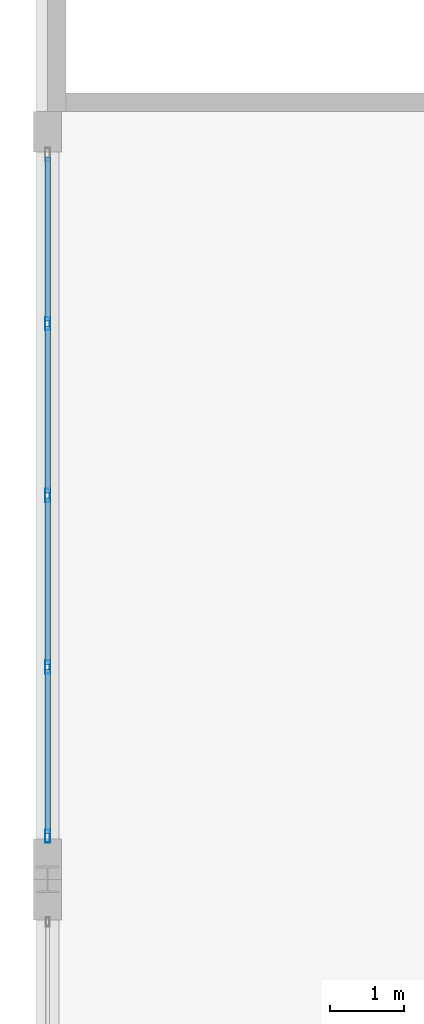
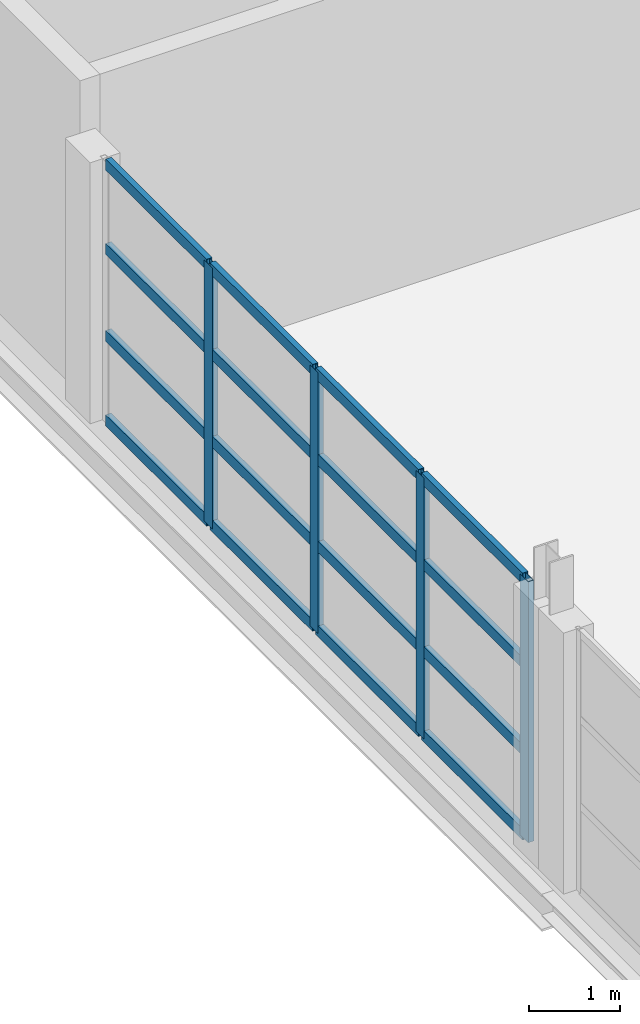
# One storey, part 32 of 147: 20 members, 1 element without a shape of its own.
"""IFC4 building model written with IfcOpenShell, lengths in metres."""

from ifc_helpers import new_model, si_unit, direction, frame, origin, origin_2d, place, context, subcontext, project, spatial, hollow_rectangle, extrude, material, layer, layer_set, material_profile, profile_set, type_object, element, aggregate, save


model = new_model("IFC4")

# Units and contexts
model_context = context("Model", 3, precision=1e-05, world=origin(), true_north=direction((0.0, 1.0)))
body_context = subcontext(model_context, "Body", "Model", "MODEL_VIEW")
ifc_project = project(units=[si_unit("LENGTHUNIT", "METRE"), si_unit("AREAUNIT", "SQUARE_METRE"), si_unit("VOLUMEUNIT", "CUBIC_METRE"), si_unit("PLANEANGLEUNIT", "RADIAN"), si_unit("MASSUNIT", "GRAM", prefix="KILO")], contexts=[model_context])

# Site, building, storey
site_placement = place(None, origin())
site = spatial("IfcSite", under=ifc_project, at=site_placement, CompositionType="ELEMENT")
building_placement = place(site_placement, origin())
building = spatial("IfcBuilding", under=site, at=building_placement, Name="Zilviju Railside Exhibition Hall", CompositionType="ELEMENT")
storey_placement = place(building_placement, frame((0.0, 0.0, 8.39990234375)))
storey = spatial("IfcBuildingStorey", under=building, at=storey_placement, Name="L03", CompositionType="ELEMENT", Elevation=8.39990234375)

# Curtain wall, members
ifc_material_1 = material(Name="Thermally broken aluminium-steel triple-glazed curtain wall", Category="steel")
ifc_layer = layer(ifc_material_1, 0.179931640625)
ifc_layer_set = layer_set([ifc_layer], Name="Thermally broken aluminium-steel triple-glazed curtain wall")
curtain_wall_type = type_object("IfcCurtainWallType", Name="CW-BAY-03", PredefinedType="USERDEFINED", material=ifc_layer_set)
curtain_wall_placement = place(storey_placement, origin())
curtain_wall = element("IfcCurtainWall", 1, at=curtain_wall_placement, inside=storey, type_object=curtain_wall_type, Name="Congress Crush Foyer Boulevard Curtain Wall L03 (48..58)", ObjectType="GLAZED CURTAIN WALL", PredefinedType="USERDEFINED")
ifc_material_2 = material(Name="Thermally broken anodized aluminium mullion", Category="aluminium")
ifc_material_profile_1 = material_profile(ifc_material_2, hollow_rectangle(XDim=0.070068359375, YDim=0.179931640625, WallThickness=0.0048828125, at=origin_2d()), Name="MULLION 180x70x5")
ifc_profile_set_1 = profile_set([ifc_material_profile_1], Name="Thermally broken anodized aluminium mullion")
member_type_1 = type_object("IfcMemberType", Name="CWM-70x180", PredefinedType="MULLION", material=ifc_profile_set_1)
member_1_placement = place(storey_placement, frame((0.0, 48.5849609375, 0.0), z_axis=(0.0, 0.0, 1.0), x_axis=(-1.0, 0.0, 0.0)))
member_1 = element("IfcMember", 2, at=member_1_placement, type_object=member_type_1, Name="CW-03 mullion 1", PredefinedType="MULLION", context=body_context, shape_type="SweptSolid", body=[
    extrude(hollow_rectangle(XDim=0.070068359375, YDim=0.179931640625, WallThickness=0.0048828125, at=origin_2d()), origin(), (0.0, 0.0, 1.0), 3.5),
])
member_2_placement = place(storey_placement, frame((0.0, 50.875, 0.0), z_axis=(0.0, 0.0, 1.0), x_axis=(-1.0, 0.0, 0.0)))
member_2 = element("IfcMember", 3, at=member_2_placement, type_object=member_type_1, Name="CW-03 mullion 2", PredefinedType="MULLION", context=body_context, shape_type="SweptSolid", body=[
    extrude(hollow_rectangle(XDim=0.070068359375, YDim=0.179931640625, WallThickness=0.0048828125, at=origin_2d()), origin(), (0.0, 0.0, 1.0), 3.5),
])
member_3_placement = place(storey_placement, frame((0.0, 53.199951171875, 0.0), z_axis=(0.0, 0.0, 1.0), x_axis=(-1.0, 0.0, 0.0)))
member_3 = element("IfcMember", 4, at=member_3_placement, type_object=member_type_1, Name="CW-03 mullion 3", PredefinedType="MULLION", context=body_context, shape_type="SweptSolid", body=[
    extrude(hollow_rectangle(XDim=0.070068359375, YDim=0.179931640625, WallThickness=0.0048828125, at=origin_2d()), origin(), (0.0, 0.0, 1.0), 3.5),
])
member_4_placement = place(storey_placement, frame((0.0, 55.52490234375, 0.0), z_axis=(0.0, 0.0, 1.0), x_axis=(-1.0, 0.0, 0.0)))
member_4 = element("IfcMember", 5, at=member_4_placement, type_object=member_type_1, Name="CW-03 mullion 4", PredefinedType="MULLION", context=body_context, shape_type="SweptSolid", body=[
    extrude(hollow_rectangle(XDim=0.070068359375, YDim=0.179931640625, WallThickness=0.0048828125, at=origin_2d()), origin(), (0.0, 0.0, 1.0), 3.5),
])
ifc_material_3 = material(Name="Thermally broken anodized aluminium transom", Category="aluminium")
ifc_material_profile_2 = material_profile(ifc_material_3, hollow_rectangle(XDim=0.070068359375, YDim=0.14990234375, WallThickness=0.0048828125, at=origin_2d()), Name="TRANSOM 150x70x5")
ifc_profile_set_2 = profile_set([ifc_material_profile_2], Name="Thermally broken anodized aluminium transom")
member_type_2 = type_object("IfcMemberType", Name="CWT-70x150", PredefinedType="USERDEFINED", material=ifc_profile_set_2)
member_5_placement = place(storey_placement, frame((0.0, 48.6201171875, 0.03515625), z_axis=(0.0, 1.0, 0.0), x_axis=(-1.0, 0.0, 0.0)))
member_5 = element("IfcMember", 6, at=member_5_placement, type_object=member_type_2, Name="CW-03 transom 1.1", ObjectType="TRANSOM", PredefinedType="USERDEFINED", context=body_context, shape_type="SweptSolid", body=[
    extrude(hollow_rectangle(XDim=0.070068359375, YDim=0.14990234375, WallThickness=0.0048828125, at=origin_2d()), origin(), (0.0, 0.0, 1.0), 2.219970703125),
])
member_6_placement = place(storey_placement, frame((0.0, 48.6201171875, 1.1669921875), z_axis=(0.0, 1.0, 0.0), x_axis=(-1.0, 0.0, 0.0)))
member_6 = element("IfcMember", 7, at=member_6_placement, type_object=member_type_2, Name="CW-03 transom 1.2", ObjectType="TRANSOM", PredefinedType="USERDEFINED", context=body_context, shape_type="SweptSolid", body=[
    extrude(hollow_rectangle(XDim=0.070068359375, YDim=0.14990234375, WallThickness=0.0048828125, at=origin_2d()), origin(), (0.0, 0.0, 1.0), 2.219970703125),
])
member_7_placement = place(storey_placement, frame((0.0, 48.6201171875, 2.3330078125), z_axis=(0.0, 1.0, 0.0), x_axis=(-1.0, 0.0, 0.0)))
member_7 = element("IfcMember", 8, at=member_7_placement, type_object=member_type_2, Name="CW-03 transom 1.3", ObjectType="TRANSOM", PredefinedType="USERDEFINED", context=body_context, shape_type="SweptSolid", body=[
    extrude(hollow_rectangle(XDim=0.070068359375, YDim=0.14990234375, WallThickness=0.0048828125, at=origin_2d()), origin(), (0.0, 0.0, 1.0), 2.219970703125),
])
member_8_placement = place(storey_placement, frame((0.0, 48.6201171875, 3.465087890625), z_axis=(0.0, 1.0, 0.0), x_axis=(-1.0, 0.0, 0.0)))
member_8 = element("IfcMember", 9, at=member_8_placement, type_object=member_type_2, Name="CW-03 transom 1.4", ObjectType="TRANSOM", PredefinedType="USERDEFINED", context=body_context, shape_type="SweptSolid", body=[
    extrude(hollow_rectangle(XDim=0.070068359375, YDim=0.14990234375, WallThickness=0.0048828125, at=origin_2d()), origin(), (0.0, 0.0, 1.0), 2.219970703125),
])
member_9_placement = place(storey_placement, frame((0.0, 50.909912109375, 0.03515625), z_axis=(0.0, 1.0, 0.0), x_axis=(-1.0, 0.0, 0.0)))
member_9 = element("IfcMember", 10, at=member_9_placement, type_object=member_type_2, Name="CW-03 transom 2.1", ObjectType="TRANSOM", PredefinedType="USERDEFINED", context=body_context, shape_type="SweptSolid", body=[
    extrude(hollow_rectangle(XDim=0.070068359375, YDim=0.14990234375, WallThickness=0.0048828125, at=origin_2d()), origin(), (0.0, 0.0, 1.0), 2.255126953125),
])
member_10_placement = place(storey_placement, frame((0.0, 50.909912109375, 1.1669921875), z_axis=(0.0, 1.0, 0.0), x_axis=(-1.0, 0.0, 0.0)))
member_10 = element("IfcMember", 11, at=member_10_placement, type_object=member_type_2, Name="CW-03 transom 2.2", ObjectType="TRANSOM", PredefinedType="USERDEFINED", context=body_context, shape_type="SweptSolid", body=[
    extrude(hollow_rectangle(XDim=0.070068359375, YDim=0.14990234375, WallThickness=0.0048828125, at=origin_2d()), origin(), (0.0, 0.0, 1.0), 2.255126953125),
])
member_11_placement = place(storey_placement, frame((0.0, 50.909912109375, 2.3330078125), z_axis=(0.0, 1.0, 0.0), x_axis=(-1.0, 0.0, 0.0)))
member_11 = element("IfcMember", 12, at=member_11_placement, type_object=member_type_2, Name="CW-03 transom 2.3", ObjectType="TRANSOM", PredefinedType="USERDEFINED", context=body_context, shape_type="SweptSolid", body=[
    extrude(hollow_rectangle(XDim=0.070068359375, YDim=0.14990234375, WallThickness=0.0048828125, at=origin_2d()), origin(), (0.0, 0.0, 1.0), 2.255126953125),
])
member_12_placement = place(storey_placement, frame((0.0, 50.909912109375, 3.465087890625), z_axis=(0.0, 1.0, 0.0), x_axis=(-1.0, 0.0, 0.0)))
member_12 = element("IfcMember", 13, at=member_12_placement, type_object=member_type_2, Name="CW-03 transom 2.4", ObjectType="TRANSOM", PredefinedType="USERDEFINED", context=body_context, shape_type="SweptSolid", body=[
    extrude(hollow_rectangle(XDim=0.070068359375, YDim=0.14990234375, WallThickness=0.0048828125, at=origin_2d()), origin(), (0.0, 0.0, 1.0), 2.255126953125),
])
member_13_placement = place(storey_placement, frame((0.0, 53.235107421875, 0.03515625), z_axis=(0.0, 1.0, 0.0), x_axis=(-1.0, 0.0, 0.0)))
member_13 = element("IfcMember", 14, at=member_13_placement, type_object=member_type_2, Name="CW-03 transom 3.1", ObjectType="TRANSOM", PredefinedType="USERDEFINED", context=body_context, shape_type="SweptSolid", body=[
    extrude(hollow_rectangle(XDim=0.070068359375, YDim=0.14990234375, WallThickness=0.0048828125, at=origin_2d()), origin(), (0.0, 0.0, 1.0), 2.2548828125),
])
member_14_placement = place(storey_placement, frame((0.0, 53.235107421875, 1.1669921875), z_axis=(0.0, 1.0, 0.0), x_axis=(-1.0, 0.0, 0.0)))
member_14 = element("IfcMember", 15, at=member_14_placement, type_object=member_type_2, Name="CW-03 transom 3.2", ObjectType="TRANSOM", PredefinedType="USERDEFINED", context=body_context, shape_type="SweptSolid", body=[
    extrude(hollow_rectangle(XDim=0.070068359375, YDim=0.14990234375, WallThickness=0.0048828125, at=origin_2d()), origin(), (0.0, 0.0, 1.0), 2.2548828125),
])
member_15_placement = place(storey_placement, frame((0.0, 53.235107421875, 2.3330078125), z_axis=(0.0, 1.0, 0.0), x_axis=(-1.0, 0.0, 0.0)))
member_15 = element("IfcMember", 16, at=member_15_placement, type_object=member_type_2, Name="CW-03 transom 3.3", ObjectType="TRANSOM", PredefinedType="USERDEFINED", context=body_context, shape_type="SweptSolid", body=[
    extrude(hollow_rectangle(XDim=0.070068359375, YDim=0.14990234375, WallThickness=0.0048828125, at=origin_2d()), origin(), (0.0, 0.0, 1.0), 2.2548828125),
])
member_16_placement = place(storey_placement, frame((0.0, 53.235107421875, 3.465087890625), z_axis=(0.0, 1.0, 0.0), x_axis=(-1.0, 0.0, 0.0)))
member_16 = element("IfcMember", 17, at=member_16_placement, type_object=member_type_2, Name="CW-03 transom 3.4", ObjectType="TRANSOM", PredefinedType="USERDEFINED", context=body_context, shape_type="SweptSolid", body=[
    extrude(hollow_rectangle(XDim=0.070068359375, YDim=0.14990234375, WallThickness=0.0048828125, at=origin_2d()), origin(), (0.0, 0.0, 1.0), 2.2548828125),
])
member_17_placement = place(storey_placement, frame((0.0, 55.56005859375, 0.03515625), z_axis=(0.0, 1.0, 0.0), x_axis=(-1.0, 0.0, 0.0)))
member_17 = element("IfcMember", 18, at=member_17_placement, type_object=member_type_2, Name="CW-03 transom 4.1", ObjectType="TRANSOM", PredefinedType="USERDEFINED", context=body_context, shape_type="SweptSolid", body=[
    extrude(hollow_rectangle(XDim=0.070068359375, YDim=0.14990234375, WallThickness=0.0048828125, at=origin_2d()), origin(), (0.0, 0.0, 1.0), 2.219970703125),
])
member_18_placement = place(storey_placement, frame((0.0, 55.56005859375, 1.1669921875), z_axis=(0.0, 1.0, 0.0), x_axis=(-1.0, 0.0, 0.0)))
member_18 = element("IfcMember", 19, at=member_18_placement, type_object=member_type_2, Name="CW-03 transom 4.2", ObjectType="TRANSOM", PredefinedType="USERDEFINED", context=body_context, shape_type="SweptSolid", body=[
    extrude(hollow_rectangle(XDim=0.070068359375, YDim=0.14990234375, WallThickness=0.0048828125, at=origin_2d()), origin(), (0.0, 0.0, 1.0), 2.219970703125),
])
member_19_placement = place(storey_placement, frame((0.0, 55.56005859375, 2.3330078125), z_axis=(0.0, 1.0, 0.0), x_axis=(-1.0, 0.0, 0.0)))
member_19 = element("IfcMember", 20, at=member_19_placement, type_object=member_type_2, Name="CW-03 transom 4.3", ObjectType="TRANSOM", PredefinedType="USERDEFINED", context=body_context, shape_type="SweptSolid", body=[
    extrude(hollow_rectangle(XDim=0.070068359375, YDim=0.14990234375, WallThickness=0.0048828125, at=origin_2d()), origin(), (0.0, 0.0, 1.0), 2.219970703125),
])
member_20_placement = place(storey_placement, frame((0.0, 55.56005859375, 3.465087890625), z_axis=(0.0, 1.0, 0.0), x_axis=(-1.0, 0.0, 0.0)))
member_20 = element("IfcMember", 21, at=member_20_placement, type_object=member_type_2, Name="CW-03 transom 4.4", ObjectType="TRANSOM", PredefinedType="USERDEFINED", context=body_context, shape_type="SweptSolid", body=[
    extrude(hollow_rectangle(XDim=0.070068359375, YDim=0.14990234375, WallThickness=0.0048828125, at=origin_2d()), origin(), (0.0, 0.0, 1.0), 2.219970703125),
])
aggregate(curtain_wall, [member_1, member_2, member_3, member_4, member_5, member_6, member_7, member_8, member_9, member_10, member_11, member_12, member_13, member_14, member_15, member_16, member_17, member_18, member_19, member_20])

save(model, "model.ifc")
